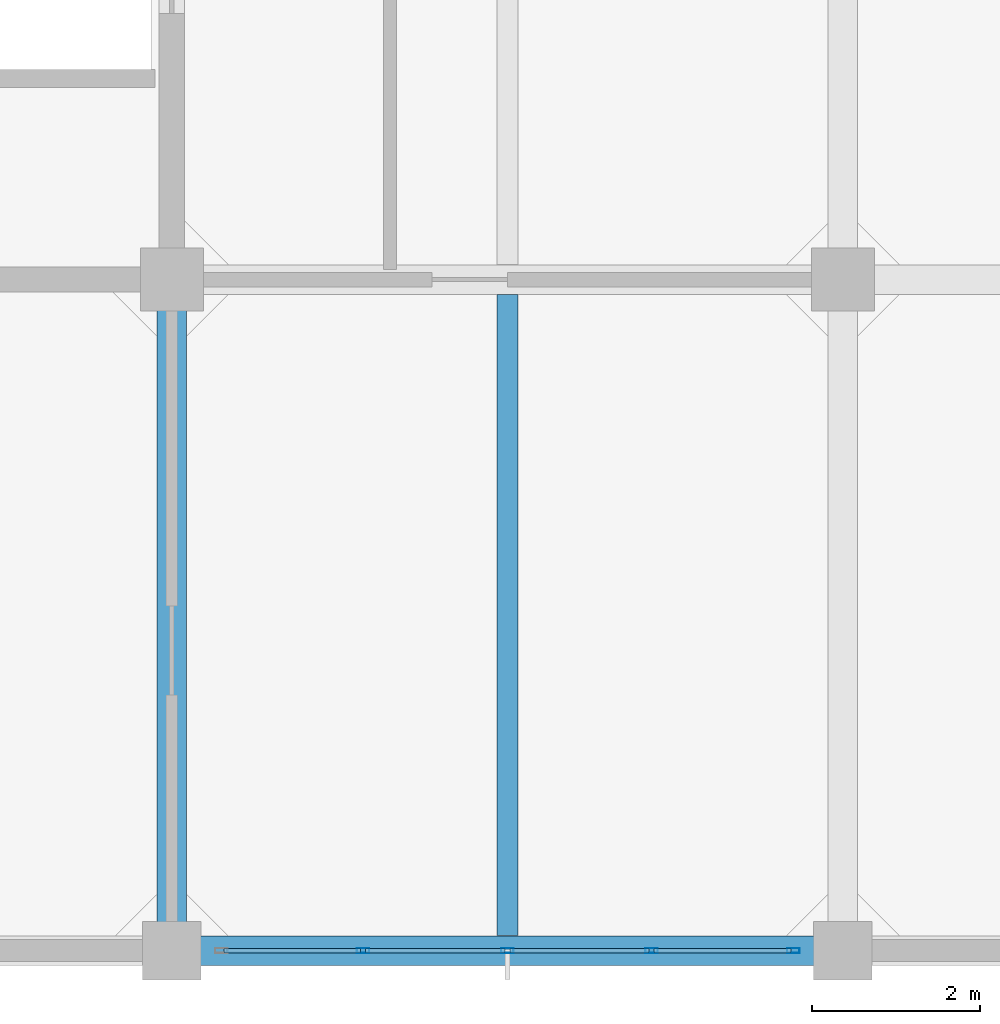
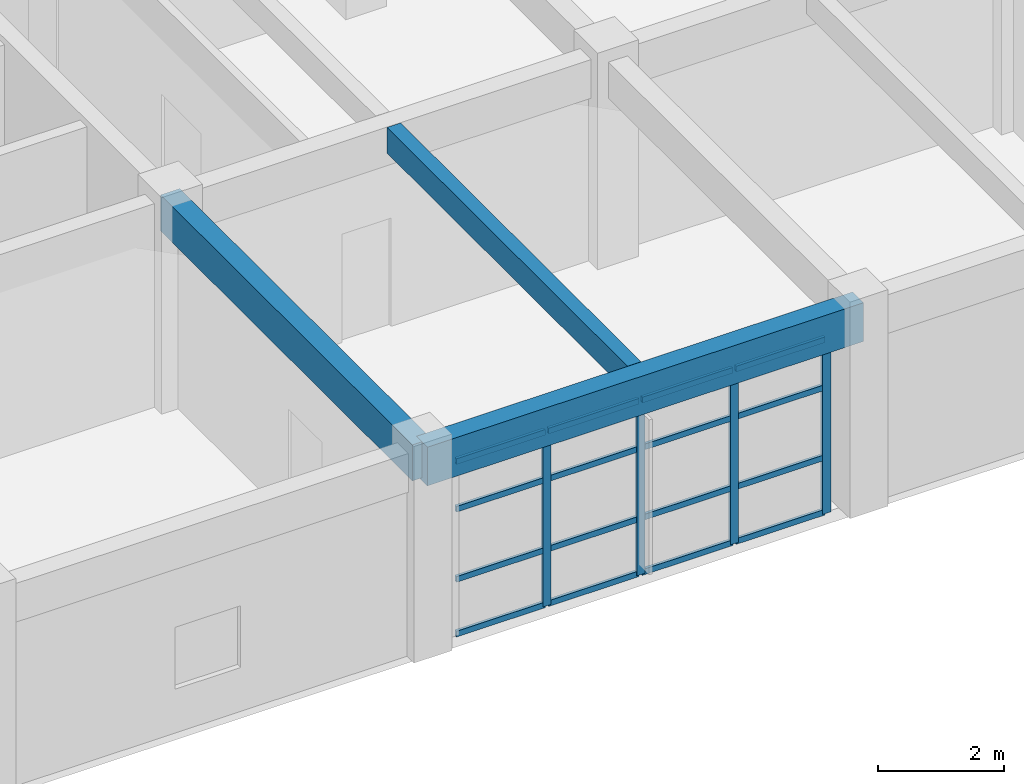
# One storey, part 6 of 19: 20 members, 3 beams, 1 element without a shape of its own.
"""IFC4 building model written with IfcOpenShell, lengths in metres."""

import ifcopenshell
import ifcopenshell.guid

model = None  # the IFC model being written
_history = None  # IfcOwnerHistory: only IFC2X3 demands one
_inside = {}  # id of a spatial element -> (the spatial element, [elements in it])
_under = {}  # id of a project, library or spatial element -> (it, [spatial elements below it])
_declared = {}  # id of a project -> (the project, [libraries it declares])
_typed = {}  # id of a type object -> (the type object, [elements of that type])
_made_of = {}  # id of a material, layer set ... -> (it, [elements and type objects made of it])


def new_model(schema):
    """Start an empty IFC model of exactly this schema.

    Asked for "IFC4X3", IfcOpenShell would pick the latest addendum, in which some entities
    have other attributes; the version numbers below select the first issue.
    IFC2X3 requires an IfcOwnerHistory on every rooted entity: one is made here for all.
    """
    global model, _history
    if schema == "IFC4X3":
        model = ifcopenshell.file(schema_version=(4, 3, 0, 0))
    else:
        model = ifcopenshell.file(schema=schema)
    _inside.clear()
    _under.clear()
    _declared.clear()
    _typed.clear()
    _made_of.clear()
    _history = None
    if model.schema == "IFC2X3":
        org = make("IfcOrganization", Name="unknown")
        user = make(
            "IfcPersonAndOrganization",
            ThePerson=make("IfcPerson", FamilyName="unknown"),
            TheOrganization=org,
        )
        app = make(
            "IfcApplication",
            ApplicationDeveloper=org,
            Version="unknown",
            ApplicationFullName="unknown",
            ApplicationIdentifier="unknown",
        )
        _history = make(
            "IfcOwnerHistory",
            OwningUser=user,
            OwningApplication=app,
            ChangeAction="ADDED",
            CreationDate=0,
        )
    return model


def make(cls, **values):
    """One entity of the class cls with the attributes given. An attribute that is None is left unset."""
    return model.create_entity(
        cls, **{name: value for name, value in values.items() if value is not None}
    )


def rooted(cls, **values):
    """An entity with a GlobalId (a new one), such as an element, a storey or a relation."""
    return make(cls, GlobalId=ifcopenshell.guid.new(), OwnerHistory=_history, **values)


def si_unit(unit_type, name, prefix=None):
    """IfcSIUnit, for example si_unit("LENGTHUNIT", "METRE", prefix="MILLI")."""
    return make("IfcSIUnit", UnitType=unit_type, Prefix=prefix, Name=name)


def assignment(units):
    """IfcUnitAssignment: the units of a project."""
    return None if units is None else make("IfcUnitAssignment", Units=units)


def point(xyz):
    """IfcCartesianPoint."""
    return None if xyz is None else make("IfcCartesianPoint", Coordinates=xyz)


def direction(xyz):
    """IfcDirection."""
    return None if xyz is None else make("IfcDirection", DirectionRatios=xyz)


def frame(location, z_axis=None, x_axis=None):
    """IfcAxis2Placement3D, a coordinate frame: its origin and axes. An axis left out is left unset."""
    return make(
        "IfcAxis2Placement3D",
        Location=point(location),
        Axis=direction(z_axis),
        RefDirection=direction(x_axis),
    )


def frame_2d(location, x_axis=None):
    """IfcAxis2Placement2D, a coordinate frame in the plane: its origin and x axis."""
    return make(
        "IfcAxis2Placement2D", Location=point(location), RefDirection=direction(x_axis)
    )


def origin():
    """The frame at (0, 0, 0) with its axes left unset."""
    return frame((0.0, 0.0, 0.0))


def origin_2d():
    """The frame at (0, 0) in the plane with its x axis left unset."""
    return frame_2d((0.0, 0.0))


def place(relative_to, where):
    """IfcLocalPlacement: puts the frame where relative to a parent placement (None: the world)."""
    return make(
        "IfcLocalPlacement", PlacementRelTo=relative_to, RelativePlacement=where
    )


def context(
    kind, dimensions, precision=None, world=None, true_north=None, identifier=None
):
    """IfcGeometricRepresentationContext, for example the 3D "Model" context."""
    return make(
        "IfcGeometricRepresentationContext",
        ContextIdentifier=identifier,
        ContextType=kind,
        CoordinateSpaceDimension=dimensions,
        Precision=precision,
        WorldCoordinateSystem=world,
        TrueNorth=true_north,
    )


def subcontext(parent, identifier, kind, view, scale=None):
    """IfcGeometricRepresentationSubContext, for example "Body" below "Model"."""
    return make(
        "IfcGeometricRepresentationSubContext",
        ContextIdentifier=identifier,
        ContextType=kind,
        ParentContext=parent,
        TargetScale=scale,
        TargetView=view,
    )


def project(units=None, contexts=None):
    """IfcProject with its units and contexts."""
    return rooted(
        "IfcProject",
        Name="project",
        RepresentationContexts=contexts,
        UnitsInContext=assignment(units),
    )


def spatial(cls, under=None, at=None, **own):
    """A site, building, storey or space (cls), placed at a placement, below another one or the project."""
    s = rooted(cls, ObjectPlacement=at, **own)
    if under is not None:
        _under.setdefault(under.id(), (under, []))[1].append(s)
    return s


def profile(cls, at=None, kind="AREA", **sizes):
    """A parametric profile (cls). Its sizes go by their IFC names, for example OverallWidth=200.0."""
    return make(cls, ProfileType=kind, Position=at, **sizes)


def rectangle(**sizes):
    """IfcRectangleProfileDef."""
    return profile("IfcRectangleProfileDef", **sizes)


def hollow_rectangle(**sizes):
    """IfcRectangleHollowProfileDef."""
    return profile("IfcRectangleHollowProfileDef", **sizes)


def extrude(swept, where, along, depth):
    """IfcExtrudedAreaSolid: the profile swept, set in the frame where, extruded along a direction by depth."""
    return make(
        "IfcExtrudedAreaSolid",
        SweptArea=swept,
        Position=where,
        ExtrudedDirection=direction(along),
        Depth=depth,
    )


def shape(context_of_items, identifier, shape_type, items):
    """IfcShapeRepresentation: the items that make up one representation, for example the "Body"."""
    return make(
        "IfcShapeRepresentation",
        ContextOfItems=context_of_items,
        RepresentationIdentifier=identifier,
        RepresentationType=shape_type,
        Items=items,
    )


def material(Name=None, Category=None):
    """IfcMaterial."""
    return make("IfcMaterial", Name=Name, Category=Category)


def layer(
    of_material, thickness, ventilated=None, Name=None, Category=None, Priority=None
):
    """IfcMaterialLayer: one layer of a wall or slab, of a material (None: an air gap)."""
    return make(
        "IfcMaterialLayer",
        Material=of_material,
        LayerThickness=thickness,
        IsVentilated=ventilated,
        Name=Name,
        Category=Category,
        Priority=Priority,
    )


def layer_set(layers, Name=None):
    """IfcMaterialLayerSet."""
    return make("IfcMaterialLayerSet", MaterialLayers=layers, LayerSetName=Name)


def material_profile(
    of_material, cross_section, Name=None, Category=None, Priority=None
):
    """IfcMaterialProfile: a cross section and its material."""
    return make(
        "IfcMaterialProfile",
        Name=Name,
        Material=of_material,
        Profile=cross_section,
        Priority=Priority,
        Category=Category,
    )


def profile_set(profiles, Name=None, composite=None):
    """IfcMaterialProfileSet."""
    return make(
        "IfcMaterialProfileSet",
        Name=Name,
        MaterialProfiles=profiles,
        CompositeProfile=composite,
    )


def made_of(thing, what):
    """Note that an element or type object is made of a material, layer set ...; save() writes the relation."""
    if what is not None:
        _made_of.setdefault(what.id(), (what, []))[1].append(thing)
    return thing


def type_object(cls, material=None, **own):
    """A type object (cls), such as IfcWallType, which elements share."""
    return made_of(rooted(cls, **own), material)


def element(
    cls,
    number,
    at=None,
    inside=None,
    cuts=None,
    type_object=None,
    material=None,
    context=None,
    identifier="Body",
    shape_type=None,
    held_by="IfcProductDefinitionShape",
    body=None,
    shapes=None,
    **own,
):
    """One element of the class cls, such as IfcWall. Its Tag is "e" and its number.

    at: its placement. inside: the storey or other place that contains it. cuts: it is an
    opening in that element (IfcRelVoidsElement). A single representation is given by context,
    identifier, shape_type and body (its items); several are given by shapes. held_by: the class
    of the entity that holds the representations. save() writes the other relations.
    """
    e = rooted(cls, Tag="e%d" % number, ObjectPlacement=at, **own)
    if body is not None:
        shapes = [shape(context, identifier, shape_type, body)]
    if shapes is not None:
        e.Representation = make(held_by, Representations=shapes)
    if inside is not None:
        _inside.setdefault(inside.id(), (inside, []))[1].append(e)
    if cuts is not None:
        rooted(
            "IfcRelVoidsElement", RelatingBuildingElement=cuts, RelatedOpeningElement=e
        )
    if type_object is not None:
        _typed.setdefault(type_object.id(), (type_object, []))[1].append(e)
    return made_of(e, material)


def aggregate(whole, parts):
    """IfcRelAggregates: a whole, such as a stair, and the parts it consists of."""
    return rooted("IfcRelAggregates", RelatingObject=whole, RelatedObjects=parts)


def save(model, path):
    """Write the relations noted so far, then the file.

    IfcRelAggregates (storeys below a building ...), IfcRelContainedInSpatialStructure (elements
    in a storey), IfcRelDefinesByType, IfcRelAssociatesMaterial and IfcRelDeclares: one each for
    every whole, place, type object, material and project.
    """
    for whole, parts in _under.values():
        aggregate(whole, parts)
    for where, things in _inside.values():
        rooted(
            "IfcRelContainedInSpatialStructure",
            RelatedElements=things,
            RelatingStructure=where,
        )
    for kind, things in _typed.values():
        rooted("IfcRelDefinesByType", RelatedObjects=things, RelatingType=kind)
    for what, things in _made_of.values():
        rooted("IfcRelAssociatesMaterial", RelatedObjects=things, RelatingMaterial=what)
    for by, libraries in _declared.values():
        rooted("IfcRelDeclares", RelatingContext=by, RelatedDefinitions=libraries)
    model.write(path)


model = new_model("IFC4")

# Units and contexts
model_context = context("Model", 3, precision=1e-05, world=origin(), true_north=direction((0.0, 1.0)))
body_context = subcontext(model_context, "Body", "Model", "MODEL_VIEW")
ifc_project = project(units=[si_unit("LENGTHUNIT", "METRE"), si_unit("AREAUNIT", "SQUARE_METRE"), si_unit("VOLUMEUNIT", "CUBIC_METRE"), si_unit("PLANEANGLEUNIT", "RADIAN"), si_unit("MASSUNIT", "GRAM", prefix="KILO")], contexts=[model_context])

# Site, building, storey
site_placement = place(None, origin())
site = spatial("IfcSite", under=ifc_project, at=site_placement, CompositionType="ELEMENT")
building_placement = place(site_placement, origin())
building = spatial("IfcBuilding", under=site, at=building_placement, Name="Canggui Botanical Conservatory", CompositionType="ELEMENT")
storey_placement = place(building_placement, frame((0.0, 0.0, 48.60009765625)))
storey = spatial("IfcBuildingStorey", under=building, at=storey_placement, Name="L12", CompositionType="ELEMENT", Elevation=48.60009765625)

# Beams
ifc_material_1 = material(Name="Concrete C35", Category="concrete")
ifc_material_profile_1 = material_profile(ifc_material_1, rectangle(XDim=0.25, YDim=0.5, at=origin_2d()), Name="RB 250x500")
ifc_profile_set_1 = profile_set([ifc_material_profile_1], Name="Concrete C35")
beam_type_1 = type_object("IfcBeamType", Name="BM-JST04", PredefinedType="JOIST", material=ifc_profile_set_1)
beam_1_placement = place(storey_placement, frame((166.0, 34.179931640625, 3.7099609375), z_axis=(0.0, 1.0, 0.0), x_axis=(-1.0, 0.0, 0.0)))
element("IfcBeam", 1, at=beam_1_placement, inside=storey, type_object=beam_type_1, Name="Secondary Floor Joist L12-3-1", PredefinedType="JOIST", context=body_context, shape_type="SweptSolid", body=[
    extrude(rectangle(XDim=0.25, YDim=0.5, at=origin_2d()), origin(), (0.0, 0.0, 1.0), 7.64013671875),
])
ifc_material_profile_2 = material_profile(ifc_material_1, rectangle(XDim=0.35009765625, YDim=0.75, at=origin_2d()), Name="RB 350x750")
ifc_profile_set_2 = profile_set([ifc_material_profile_2], Name="Concrete C35")
beam_type_2 = type_object("IfcBeamType", Name="BM-KL16", PredefinedType="BEAM", material=ifc_profile_set_2)
beam_2_placement = place(storey_placement, frame((162.0, 34.0, 3.5849609375), z_axis=(1.0, 0.0, 0.0), x_axis=(0.0, 1.0, 0.0)))
element("IfcBeam", 2, at=beam_2_placement, inside=storey, type_object=beam_type_2, Name="Frame Girder L12 Y34-3", PredefinedType="BEAM", context=body_context, shape_type="SweptSolid", body=[
    extrude(rectangle(XDim=0.35009765625, YDim=0.75, at=origin_2d()), origin(), (0.0, 0.0, 1.0), 8.0),
])
ifc_material_profile_3 = material_profile(ifc_material_1, rectangle(XDim=0.35009765625, YDim=0.699951171875, at=origin_2d()), Name="RB 350x700")
ifc_profile_set_3 = profile_set([ifc_material_profile_3], Name="Concrete C35")
beam_type_3 = type_object("IfcBeamType", Name="BM-KL17", PredefinedType="BEAM", material=ifc_profile_set_3)
beam_3_placement = place(storey_placement, frame((162.0, 34.0, 3.60986328125), z_axis=(0.0, 1.0, 0.0), x_axis=(-1.0, 0.0, 0.0)))
element("IfcBeam", 3, at=beam_3_placement, inside=storey, type_object=beam_type_3, Name="Frame Girder L12 X162-1", PredefinedType="BEAM", context=body_context, shape_type="SweptSolid", body=[
    extrude(rectangle(XDim=0.35009765625, YDim=0.699951171875, at=origin_2d()), origin(), (0.0, 0.0, 1.0), 8.0),
])

# Curtain wall, members
ifc_material_2 = material(Name="Thermally Broken Aluminium", Category="aluminium")
ifc_layer = layer(ifc_material_2, 0.14990234375, Name="Thermally Broken Aluminium", Category="aluminium")
ifc_layer_set = layer_set([ifc_layer], Name="Thermally Broken Aluminium")
curtain_wall_type = type_object("IfcCurtainWallType", Name="CW-UNIT-C", PredefinedType="USERDEFINED", material=ifc_layer_set)
curtain_wall_placement = place(storey_placement, origin())
curtain_wall = element("IfcCurtainWall", 4, at=curtain_wall_placement, inside=storey, type_object=curtain_wall_type, Name="Facade Curtain Wall CW-TWR-L12-02", ObjectType="UNITISED CURTAIN WALL", PredefinedType="USERDEFINED")
ifc_material_profile_4 = material_profile(ifc_material_2, hollow_rectangle(XDim=0.06005859375, YDim=0.14990234375, WallThickness=0.00341796875, at=origin_2d()), Name="CWM 60x150x3.5")
ifc_profile_set_4 = profile_set([ifc_material_profile_4], Name="Thermally Broken Aluminium")
member_type_1 = type_object("IfcMemberType", Name="CWM-03", PredefinedType="MULLION", material=ifc_profile_set_4)
member_1_placement = place(storey_placement, frame((169.409912109375, 34.0, 0.0), z_axis=(0.0, 0.0, 1.0), x_axis=(0.0, -1.0, 0.0)))
member_1 = element("IfcMember", 5, at=member_1_placement, type_object=member_type_1, Name="CW-03 mullion 1", PredefinedType="MULLION", context=body_context, shape_type="SweptSolid", body=[
    extrude(hollow_rectangle(XDim=0.06005859375, YDim=0.14990234375, WallThickness=0.00341796875, at=origin_2d()), origin(), (0.0, 0.0, 1.0), 3.39990234375),
])
member_2_placement = place(storey_placement, frame((167.719970703125, 34.0, 0.0), z_axis=(0.0, 0.0, 1.0), x_axis=(0.0, -1.0, 0.0)))
member_2 = element("IfcMember", 6, at=member_2_placement, type_object=member_type_1, Name="CW-03 mullion 2", PredefinedType="MULLION", context=body_context, shape_type="SweptSolid", body=[
    extrude(hollow_rectangle(XDim=0.06005859375, YDim=0.14990234375, WallThickness=0.00341796875, at=origin_2d()), origin(), (0.0, 0.0, 1.0), 3.39990234375),
])
member_3_placement = place(storey_placement, frame((166.0, 34.0, 0.0), z_axis=(0.0, 0.0, 1.0), x_axis=(0.0, -1.0, 0.0)))
member_3 = element("IfcMember", 7, at=member_3_placement, type_object=member_type_1, Name="CW-03 mullion 3", PredefinedType="MULLION", context=body_context, shape_type="SweptSolid", body=[
    extrude(hollow_rectangle(XDim=0.06005859375, YDim=0.14990234375, WallThickness=0.00341796875, at=origin_2d()), origin(), (0.0, 0.0, 1.0), 3.39990234375),
])
member_4_placement = place(storey_placement, frame((164.280029296875, 34.0, 0.0), z_axis=(0.0, 0.0, 1.0), x_axis=(0.0, -1.0, 0.0)))
member_4 = element("IfcMember", 8, at=member_4_placement, type_object=member_type_1, Name="CW-03 mullion 4", PredefinedType="MULLION", context=body_context, shape_type="SweptSolid", body=[
    extrude(hollow_rectangle(XDim=0.06005859375, YDim=0.14990234375, WallThickness=0.00341796875, at=origin_2d()), origin(), (0.0, 0.0, 1.0), 3.39990234375),
])
ifc_material_profile_5 = material_profile(ifc_material_2, hollow_rectangle(XDim=0.054931640625, YDim=0.110107421875, WallThickness=0.0029296875, at=origin_2d()), Name="CWT 55x110x3")
ifc_profile_set_5 = profile_set([ifc_material_profile_5], Name="Thermally Broken Aluminium")
member_type_2 = type_object("IfcMemberType", Name="CWT-03", PredefinedType="USERDEFINED", material=ifc_profile_set_5)
member_5_placement = place(storey_placement, frame((169.3798828125, 34.0, 0.02734375), z_axis=(-1.0, 0.0, 0.0), x_axis=(0.0, -1.0, 0.0)))
member_5 = element("IfcMember", 9, at=member_5_placement, type_object=member_type_2, Name="CW-03 transom 1.1", ObjectType="TRANSOM", PredefinedType="USERDEFINED", context=body_context, shape_type="SweptSolid", body=[
    extrude(hollow_rectangle(XDim=0.054931640625, YDim=0.110107421875, WallThickness=0.0029296875, at=origin_2d()), origin(), (0.0, 0.0, 1.0), 1.6298828125),
])
member_6_placement = place(storey_placement, frame((169.3798828125, 34.0, 1.087890625), z_axis=(-1.0, 0.0, 0.0), x_axis=(0.0, -1.0, 0.0)))
member_6 = element("IfcMember", 10, at=member_6_placement, type_object=member_type_2, Name="CW-03 transom 1.2", ObjectType="TRANSOM", PredefinedType="USERDEFINED", context=body_context, shape_type="SweptSolid", body=[
    extrude(hollow_rectangle(XDim=0.054931640625, YDim=0.110107421875, WallThickness=0.0029296875, at=origin_2d()), origin(), (0.0, 0.0, 1.0), 1.6298828125),
])
member_7_placement = place(storey_placement, frame((169.3798828125, 34.0, 2.447998046875), z_axis=(-1.0, 0.0, 0.0), x_axis=(0.0, -1.0, 0.0)))
member_7 = element("IfcMember", 11, at=member_7_placement, type_object=member_type_2, Name="CW-03 transom 1.3", ObjectType="TRANSOM", PredefinedType="USERDEFINED", context=body_context, shape_type="SweptSolid", body=[
    extrude(hollow_rectangle(XDim=0.054931640625, YDim=0.110107421875, WallThickness=0.0029296875, at=origin_2d()), origin(), (0.0, 0.0, 1.0), 1.6298828125),
])
member_8_placement = place(storey_placement, frame((169.3798828125, 34.0, 3.372314453125), z_axis=(-1.0, 0.0, 0.0), x_axis=(0.0, -1.0, 0.0)))
member_8 = element("IfcMember", 12, at=member_8_placement, type_object=member_type_2, Name="CW-03 transom 1.4", ObjectType="TRANSOM", PredefinedType="USERDEFINED", context=body_context, shape_type="SweptSolid", body=[
    extrude(hollow_rectangle(XDim=0.054931640625, YDim=0.110107421875, WallThickness=0.0029296875, at=origin_2d()), origin(), (0.0, 0.0, 1.0), 1.6298828125),
])
member_9_placement = place(storey_placement, frame((167.68994140625, 34.0, 0.02734375), z_axis=(-1.0, 0.0, 0.0), x_axis=(0.0, -1.0, 0.0)))
member_9 = element("IfcMember", 13, at=member_9_placement, type_object=member_type_2, Name="CW-03 transom 2.1", ObjectType="TRANSOM", PredefinedType="USERDEFINED", context=body_context, shape_type="SweptSolid", body=[
    extrude(hollow_rectangle(XDim=0.054931640625, YDim=0.110107421875, WallThickness=0.0029296875, at=origin_2d()), origin(), (0.0, 0.0, 1.0), 1.659912109375),
])
member_10_placement = place(storey_placement, frame((167.68994140625, 34.0, 1.087890625), z_axis=(-1.0, 0.0, 0.0), x_axis=(0.0, -1.0, 0.0)))
member_10 = element("IfcMember", 14, at=member_10_placement, type_object=member_type_2, Name="CW-03 transom 2.2", ObjectType="TRANSOM", PredefinedType="USERDEFINED", context=body_context, shape_type="SweptSolid", body=[
    extrude(hollow_rectangle(XDim=0.054931640625, YDim=0.110107421875, WallThickness=0.0029296875, at=origin_2d()), origin(), (0.0, 0.0, 1.0), 1.659912109375),
])
member_11_placement = place(storey_placement, frame((167.68994140625, 34.0, 2.447998046875), z_axis=(-1.0, 0.0, 0.0), x_axis=(0.0, -1.0, 0.0)))
member_11 = element("IfcMember", 15, at=member_11_placement, type_object=member_type_2, Name="CW-03 transom 2.3", ObjectType="TRANSOM", PredefinedType="USERDEFINED", context=body_context, shape_type="SweptSolid", body=[
    extrude(hollow_rectangle(XDim=0.054931640625, YDim=0.110107421875, WallThickness=0.0029296875, at=origin_2d()), origin(), (0.0, 0.0, 1.0), 1.659912109375),
])
member_12_placement = place(storey_placement, frame((167.68994140625, 34.0, 3.372314453125), z_axis=(-1.0, 0.0, 0.0), x_axis=(0.0, -1.0, 0.0)))
member_12 = element("IfcMember", 16, at=member_12_placement, type_object=member_type_2, Name="CW-03 transom 2.4", ObjectType="TRANSOM", PredefinedType="USERDEFINED", context=body_context, shape_type="SweptSolid", body=[
    extrude(hollow_rectangle(XDim=0.054931640625, YDim=0.110107421875, WallThickness=0.0029296875, at=origin_2d()), origin(), (0.0, 0.0, 1.0), 1.659912109375),
])
member_13_placement = place(storey_placement, frame((165.969970703125, 34.0, 0.02734375), z_axis=(-1.0, 0.0, 0.0), x_axis=(0.0, -1.0, 0.0)))
member_13 = element("IfcMember", 17, at=member_13_placement, type_object=member_type_2, Name="CW-03 transom 3.1", ObjectType="TRANSOM", PredefinedType="USERDEFINED", context=body_context, shape_type="SweptSolid", body=[
    extrude(hollow_rectangle(XDim=0.054931640625, YDim=0.110107421875, WallThickness=0.0029296875, at=origin_2d()), origin(), (0.0, 0.0, 1.0), 1.659912109375),
])
member_14_placement = place(storey_placement, frame((165.969970703125, 34.0, 1.087890625), z_axis=(-1.0, 0.0, 0.0), x_axis=(0.0, -1.0, 0.0)))
member_14 = element("IfcMember", 18, at=member_14_placement, type_object=member_type_2, Name="CW-03 transom 3.2", ObjectType="TRANSOM", PredefinedType="USERDEFINED", context=body_context, shape_type="SweptSolid", body=[
    extrude(hollow_rectangle(XDim=0.054931640625, YDim=0.110107421875, WallThickness=0.0029296875, at=origin_2d()), origin(), (0.0, 0.0, 1.0), 1.659912109375),
])
member_15_placement = place(storey_placement, frame((165.969970703125, 34.0, 2.447998046875), z_axis=(-1.0, 0.0, 0.0), x_axis=(0.0, -1.0, 0.0)))
member_15 = element("IfcMember", 19, at=member_15_placement, type_object=member_type_2, Name="CW-03 transom 3.3", ObjectType="TRANSOM", PredefinedType="USERDEFINED", context=body_context, shape_type="SweptSolid", body=[
    extrude(hollow_rectangle(XDim=0.054931640625, YDim=0.110107421875, WallThickness=0.0029296875, at=origin_2d()), origin(), (0.0, 0.0, 1.0), 1.659912109375),
])
member_16_placement = place(storey_placement, frame((165.969970703125, 34.0, 3.372314453125), z_axis=(-1.0, 0.0, 0.0), x_axis=(0.0, -1.0, 0.0)))
member_16 = element("IfcMember", 20, at=member_16_placement, type_object=member_type_2, Name="CW-03 transom 3.4", ObjectType="TRANSOM", PredefinedType="USERDEFINED", context=body_context, shape_type="SweptSolid", body=[
    extrude(hollow_rectangle(XDim=0.054931640625, YDim=0.110107421875, WallThickness=0.0029296875, at=origin_2d()), origin(), (0.0, 0.0, 1.0), 1.659912109375),
])
member_17_placement = place(storey_placement, frame((164.25, 34.0, 0.02734375), z_axis=(-1.0, 0.0, 0.0), x_axis=(0.0, -1.0, 0.0)))
member_17 = element("IfcMember", 21, at=member_17_placement, type_object=member_type_2, Name="CW-03 transom 4.1", ObjectType="TRANSOM", PredefinedType="USERDEFINED", context=body_context, shape_type="SweptSolid", body=[
    extrude(hollow_rectangle(XDim=0.054931640625, YDim=0.110107421875, WallThickness=0.0029296875, at=origin_2d()), origin(), (0.0, 0.0, 1.0), 1.6298828125),
])
member_18_placement = place(storey_placement, frame((164.25, 34.0, 1.087890625), z_axis=(-1.0, 0.0, 0.0), x_axis=(0.0, -1.0, 0.0)))
member_18 = element("IfcMember", 22, at=member_18_placement, type_object=member_type_2, Name="CW-03 transom 4.2", ObjectType="TRANSOM", PredefinedType="USERDEFINED", context=body_context, shape_type="SweptSolid", body=[
    extrude(hollow_rectangle(XDim=0.054931640625, YDim=0.110107421875, WallThickness=0.0029296875, at=origin_2d()), origin(), (0.0, 0.0, 1.0), 1.6298828125),
])
member_19_placement = place(storey_placement, frame((164.25, 34.0, 2.447998046875), z_axis=(-1.0, 0.0, 0.0), x_axis=(0.0, -1.0, 0.0)))
member_19 = element("IfcMember", 23, at=member_19_placement, type_object=member_type_2, Name="CW-03 transom 4.3", ObjectType="TRANSOM", PredefinedType="USERDEFINED", context=body_context, shape_type="SweptSolid", body=[
    extrude(hollow_rectangle(XDim=0.054931640625, YDim=0.110107421875, WallThickness=0.0029296875, at=origin_2d()), origin(), (0.0, 0.0, 1.0), 1.6298828125),
])
member_20_placement = place(storey_placement, frame((164.25, 34.0, 3.372314453125), z_axis=(-1.0, 0.0, 0.0), x_axis=(0.0, -1.0, 0.0)))
member_20 = element("IfcMember", 24, at=member_20_placement, type_object=member_type_2, Name="CW-03 transom 4.4", ObjectType="TRANSOM", PredefinedType="USERDEFINED", context=body_context, shape_type="SweptSolid", body=[
    extrude(hollow_rectangle(XDim=0.054931640625, YDim=0.110107421875, WallThickness=0.0029296875, at=origin_2d()), origin(), (0.0, 0.0, 1.0), 1.6298828125),
])
aggregate(curtain_wall, [member_1, member_2, member_3, member_4, member_5, member_6, member_7, member_8, member_9, member_10, member_11, member_12, member_13, member_14, member_15, member_16, member_17, member_18, member_19, member_20])

save(model, "model.ifc")
